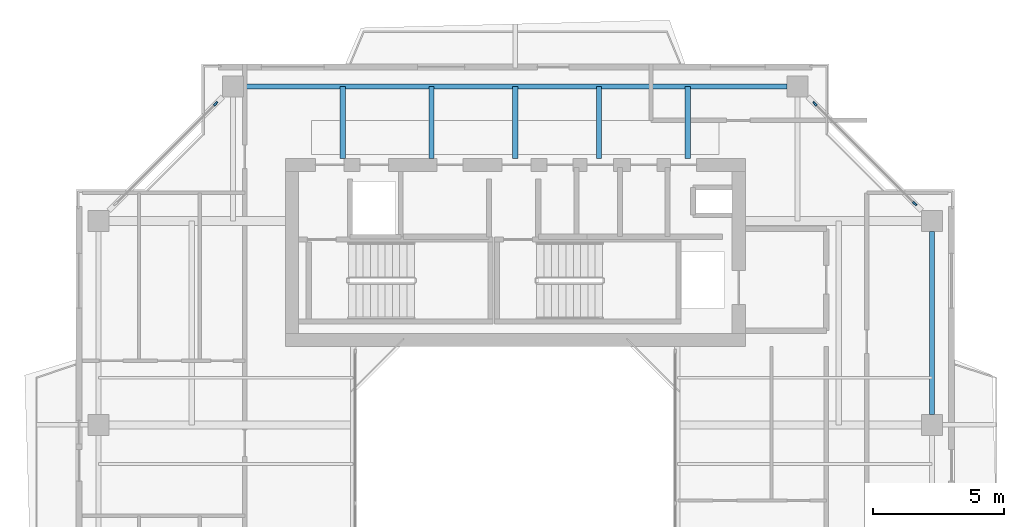
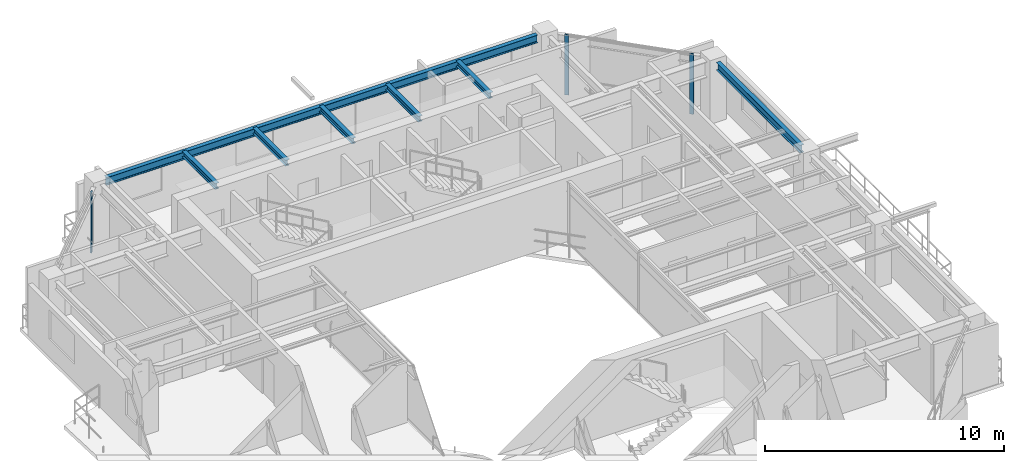
# One storey, part 7 of 15: 7 beams, 3 members, 2 elements without a shape of their own.
"""IFC4 building model written with IfcOpenShell, lengths in metres."""

from ifc_helpers import new_model, si_unit, direction, frame, origin, origin_2d, place, context, subcontext, project, spatial, rectangle, i_section, extrude, source, transform, mapped, material, layer, layer_set, material_profile, profile_set, type_object, element, aggregate, save


model = new_model("IFC4")

# Units and contexts
model_context = context("Model", 3, precision=1e-05, world=origin(), true_north=direction((0.0, 1.0)))
body_context = subcontext(model_context, "Body", "Model", "MODEL_VIEW")
ifc_project = project(units=[si_unit("LENGTHUNIT", "METRE"), si_unit("AREAUNIT", "SQUARE_METRE"), si_unit("VOLUMEUNIT", "CUBIC_METRE"), si_unit("PLANEANGLEUNIT", "RADIAN"), si_unit("MASSUNIT", "GRAM", prefix="KILO"), si_unit("THERMODYNAMICTEMPERATUREUNIT", "KELVIN"), si_unit("POWERUNIT", "WATT")], contexts=[model_context])

# Site, building, storey
site_placement = place(None, origin())
site = spatial("IfcSite", under=ifc_project, at=site_placement, CompositionType="ELEMENT")
building_placement = place(site_placement, origin())
building = spatial("IfcBuilding", under=site, at=building_placement, Name="Qiaomeng Ring Towers", CompositionType="ELEMENT")
storey_placement = place(building_placement, frame((0.0, 0.0, 193.75)))
storey = spatial("IfcBuildingStorey", under=building, at=storey_placement, Name="L56", CompositionType="ELEMENT", Elevation=193.75)

# Beams
ifc_material_1 = material(Name="Steel Q355B", Category="steel")
ifc_material_profile_1 = material_profile(ifc_material_1, i_section(OverallWidth=0.198974609375, OverallDepth=0.39599609375, WebThickness=0.007080078125, FlangeThickness=0.010986328125, FilletRadius=0.01611328125, at=origin_2d()), Name="HN 396x199x7x11")
ifc_profile_set_1 = profile_set([ifc_material_profile_1], Name="Steel Q355B")
beam_type_1 = type_object("IfcBeamType", Name="STR-BM-HN396", PredefinedType="SPANDREL", material=ifc_profile_set_1)
shared_shape_1 = source(origin(), body_context, "Body", "SweptSolid", [
    extrude(i_section(OverallWidth=0.198974609375, OverallDepth=0.39599609375, WebThickness=0.007080078125, FlangeThickness=0.010986328125, FilletRadius=0.01611328125, at=origin_2d()), origin(), (0.0, 0.0, 1.0), 20.8017578125),
])
beam_1_placement = place(storey_placement, frame((29.40087890625, 38.949951171875, 2.8720703125), z_axis=(-1.0, 0.0, 0.0), x_axis=(0.0, -1.0, 0.0)))
element("IfcBeam", 1, at=beam_1_placement, inside=storey, type_object=beam_type_1, Name="L56 beam STR-SP-L56-T1-N2-N1", PredefinedType="SPANDREL", context=body_context, shape_type="MappedRepresentation", body=[
    mapped(shared_shape_1, transform((0.0, 0.0, 0.0), x_axis=(1.0, 0.0, 0.0), y_axis=(0.0, 1.0, 0.0), z_axis=(0.0, 0.0, 1.0), scale=1.0)),
])
shared_shape_2 = source(origin(), body_context, "Body", "SweptSolid", [
    extrude(i_section(OverallWidth=0.198974609375, OverallDepth=0.39599609375, WebThickness=0.007080078125, FlangeThickness=0.010986328125, FilletRadius=0.01611328125, at=origin_2d()), origin(), (0.0, 0.0, 1.0), 7.001953125),
])
beam_2_placement = place(storey_placement, frame((34.949951171875, 26.39892578125, 2.8720703125), z_axis=(0.0, 1.0, 0.0), x_axis=(-1.0, 0.0, 0.0)))
element("IfcBeam", 2, at=beam_2_placement, inside=storey, type_object=beam_type_1, Name="L56 beam STR-SP-L56-T1-E3-E4", PredefinedType="SPANDREL", context=body_context, shape_type="MappedRepresentation", body=[
    mapped(shared_shape_2, transform((0.0, 0.0, 0.0), x_axis=(1.0, 0.0, 0.0), y_axis=(0.0, 1.0, 0.0), z_axis=(0.0, 0.0, 1.0), scale=1.0)),
])
ifc_material_profile_2 = material_profile(ifc_material_1, i_section(OverallWidth=0.199951171875, OverallDepth=0.2939453125, WebThickness=0.008056640625, FlangeThickness=0.011962890625, FilletRadius=0.01806640625, at=origin_2d()), Name="HM 294x200x8x12")
ifc_profile_set_2 = profile_set([ifc_material_profile_2], Name="Steel Q355B")
beam_type_2 = type_object("IfcBeamType", Name="STR-BM-HM294", PredefinedType="JOIST", material=ifc_profile_set_2)
shared_shape_3 = source(origin(), body_context, "Body", "SweptSolid", [
    extrude(i_section(OverallWidth=0.199951171875, OverallDepth=0.2939453125, WebThickness=0.008056640625, FlangeThickness=0.011962890625, FilletRadius=0.01806640625, at=origin_2d()), origin(), (0.0, 0.0, 1.0), 2.75),
])
for number, where, z_axis, x_axis, name in (
    (3, (12.39990234375, 36.199951171875, 2.923095703125), (0.0, 1.0, 0.0), (-1.0, 0.0, 0.0), "L56 beam STR-JST-L56-T1N-1"),
    (4, (15.800048828125, 36.199951171875, 2.923095703125), (0.0, 1.0, 0.0), (-1.0, 0.0, 0.0), "L56 beam STR-JST-L56-T1N-2"),
    (5, (19.0, 36.199951171875, 2.923095703125), (0.0, 1.0, 0.0), (-1.0, 0.0, 0.0), "L56 beam STR-JST-L56-T1N-3"),
    (6, (22.199951171875, 36.199951171875, 2.923095703125), (0.0, 1.0, 0.0), (-1.0, 0.0, 0.0), "L56 beam STR-JST-L56-T1N-4"),
    (7, (25.60009765625, 36.199951171875, 2.923095703125), (0.0, 1.0, 0.0), (-1.0, 0.0, 0.0), "L56 beam STR-JST-L56-T1N-5"),
):
    element("IfcBeam", number, at=place(storey_placement, frame(where, z_axis=z_axis, x_axis=x_axis)), inside=storey, type_object=beam_type_2, Name=name, PredefinedType="JOIST", context=body_context, shape_type="MappedRepresentation", body=[
        mapped(shared_shape_3, transform((0.0, 0.0, 0.0), x_axis=(1.0, 0.0, 0.0), y_axis=(0.0, 1.0, 0.0), z_axis=(0.0, 0.0, 1.0), scale=1.0)),
    ])

# Curtain wall, members
ifc_material_2 = material(Name="Fluorocarbon dark-grey aluminium", Category="aluminium")
ifc_layer = layer(ifc_material_2, 0.14990234375, Name="Fluorocarbon dark-grey aluminium")
ifc_layer_set = layer_set([ifc_layer], Name="Fluorocarbon dark-grey aluminium")
curtain_wall_type = type_object("IfcCurtainWallType", Name="ARC-CW-3", PredefinedType="NOTDEFINED", material=ifc_layer_set)
curtain_wall_1_placement = place(storey_placement, origin())
curtain_wall_1 = element("IfcCurtainWall", 8, at=curtain_wall_1_placement, inside=storey, type_object=curtain_wall_type, Name="L56 Curtain Wall CW3", PredefinedType="NOTDEFINED")
ifc_material_profile_3 = material_profile(ifc_material_2, rectangle(XDim=0.070068359375, YDim=0.179931640625, at=origin_2d()), Name="ALU MULL 70x180")
ifc_profile_set_3 = profile_set([ifc_material_profile_3], Name="Fluorocarbon dark-grey aluminium")
member_type = type_object("IfcMemberType", Name="ARC-CWM-160", PredefinedType="MULLION", material=ifc_profile_set_3)
shared_shape_4 = source(origin(), body_context, "Body", "SweptSolid", [
    extrude(rectangle(XDim=0.070068359375, YDim=0.179931640625, at=origin_2d()), origin(), (0.0, 0.0, 1.0), 3.070068359375),
])
member_1_placement = place(storey_placement, frame((34.28515625, 34.46484375, 0.0), z_axis=(0.0, 0.0, 1.0), x_axis=(-0.707106781187, -0.707106781187, 0.0)))
member_1 = element("IfcMember", 9, at=member_1_placement, type_object=member_type, Name="CW3 mullion 1", PredefinedType="MULLION", context=body_context, shape_type="MappedRepresentation", body=[
    mapped(shared_shape_4, transform((0.0, 0.0, 0.0), x_axis=(1.0, 0.0, 0.0), y_axis=(0.0, 1.0, 0.0), z_axis=(0.0, 0.0, 1.0), scale=1.0)),
])
member_2_placement = place(storey_placement, frame((30.46484375, 38.28515625, 0.0), z_axis=(0.0, 0.0, 1.0), x_axis=(-0.707106781187, -0.707106781187, 0.0)))
member_2 = element("IfcMember", 10, at=member_2_placement, type_object=member_type, Name="CW3 mullion 2", PredefinedType="MULLION", context=body_context, shape_type="MappedRepresentation", body=[
    mapped(shared_shape_4, transform((0.0, 0.0, 0.0), x_axis=(1.0, 0.0, 0.0), y_axis=(0.0, 1.0, 0.0), z_axis=(0.0, 0.0, 1.0), scale=1.0)),
])
aggregate(curtain_wall_1, [member_1, member_2])

# Curtain wall, member
curtain_wall_2_placement = place(storey_placement, origin())
curtain_wall_2 = element("IfcCurtainWall", 11, at=curtain_wall_2_placement, inside=storey, type_object=curtain_wall_type, Name="L56 Curtain Wall CW3", PredefinedType="NOTDEFINED")
member_3_placement = place(storey_placement, frame((7.53515625, 38.28515625, 0.0), z_axis=(0.0, 0.0, 1.0), x_axis=(0.707106781187, -0.707106781187, 0.0)))
member_3 = element("IfcMember", 12, at=member_3_placement, type_object=member_type, Name="CW3 mullion 1", PredefinedType="MULLION", context=body_context, shape_type="MappedRepresentation", body=[
    mapped(shared_shape_4, transform((0.0, 0.0, 0.0), x_axis=(1.0, 0.0, 0.0), y_axis=(0.0, 1.0, 0.0), z_axis=(0.0, 0.0, 1.0), scale=1.0)),
])
aggregate(curtain_wall_2, [member_3])

save(model, "model.ifc")
